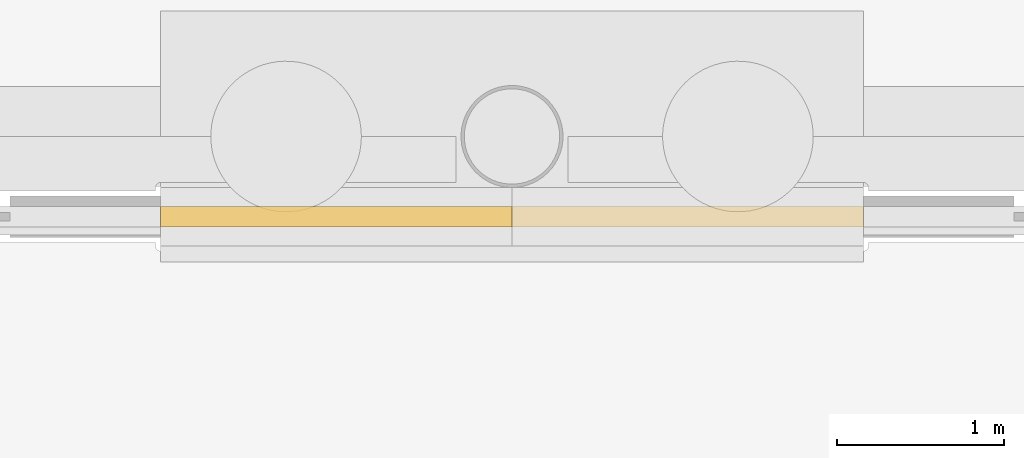
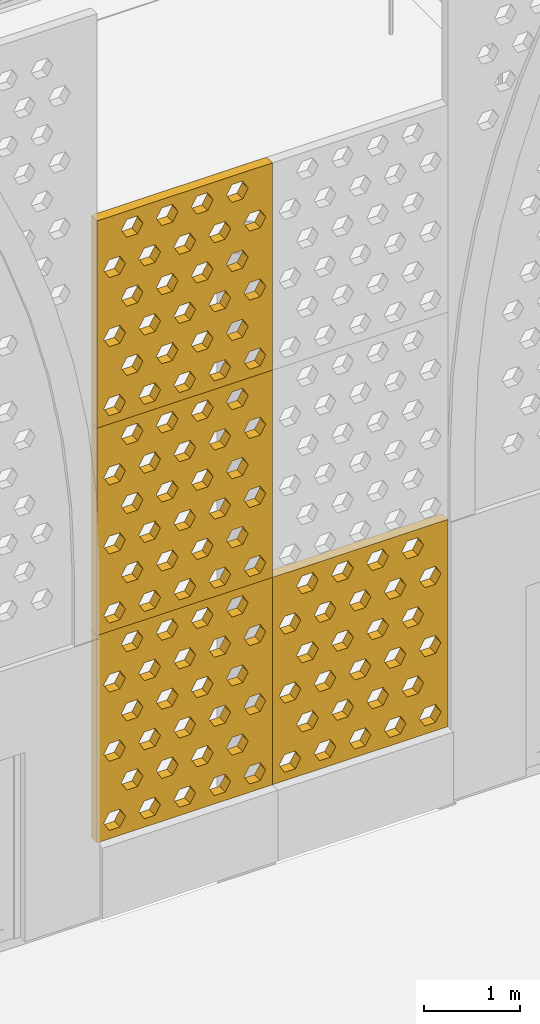
# One storey, part 211 of 250: 4 shading devices.
"""IFC4 building model written with IfcOpenShell, lengths in metres."""

from ifc_helpers import new_model, si_unit, direction, frame, origin, place, context, subcontext, project, spatial, polyline, outline, extrude, material, layer, layer_set, type_object, element, save


model = new_model("IFC4")

# Units and contexts
model_context = context("Model", 3, precision=1e-05, world=origin(), true_north=direction((0.0, 1.0)))
body_context = subcontext(model_context, "Body", "Model", "MODEL_VIEW")
ifc_project = project(units=[si_unit("LENGTHUNIT", "METRE"), si_unit("AREAUNIT", "SQUARE_METRE"), si_unit("VOLUMEUNIT", "CUBIC_METRE"), si_unit("PLANEANGLEUNIT", "RADIAN"), si_unit("MASSUNIT", "GRAM", prefix="KILO")], contexts=[model_context])

# Site, building, storey
site_placement = place(None, origin())
site = spatial("IfcSite", under=ifc_project, at=site_placement, CompositionType="ELEMENT")
building_placement = place(site_placement, origin())
building = spatial("IfcBuilding", under=site, at=building_placement, Name="Baradari Gate Terminus", CompositionType="ELEMENT")
storey_placement = place(building_placement, origin())
storey = spatial("IfcBuildingStorey", under=building, at=storey_placement, Name="L00", CompositionType="ELEMENT", Elevation=0.0)

# Shading devices
ifc_material = material(Name="Concrete C50/60 precast", Category="concrete")
ifc_layer = layer(ifc_material, 0.1201171875)
ifc_layer_set = layer_set([ifc_layer], Name="Concrete C50/60 precast")
shading_device_type = type_object("IfcShadingDeviceType", Name="Jali screen panel JS-2 120", PredefinedType="SHUTTER", material=ifc_layer_set)
shading_device_1_placement = place(storey_placement, frame((231.89990234375, 35.52001953125, 0.89990234375), z_axis=(0.0, 0.0, 1.0), x_axis=(1.0, 0.0, 0.0)))
element("IfcShadingDevice", 1, at=shading_device_1_placement, inside=storey, type_object=shading_device_type, Name="Jali screen panel JS-2 SC08c row 1 panel 1", PredefinedType="SHUTTER", context=body_context, shape_type="SweptSolid", body=[
    extrude(outline(polyline([(0.0, 0.0), (2.10009765625, 0.0), (2.10009765625, 2.625), (0.0, 2.625), (0.0, 0.0)]), holes=[polyline([(0.340087890625, 0.21875), (0.27490234375, 0.106201171875), (0.14501953125, 0.106201171875), (0.080078125, 0.21875), (0.14501953125, 0.33154296875), (0.27490234375, 0.33154296875), (0.340087890625, 0.21875)]), polyline([(0.760009765625, 0.21875), (0.695068359375, 0.106201171875), (0.56494140625, 0.106201171875), (0.5, 0.21875), (0.56494140625, 0.33154296875), (0.695068359375, 0.33154296875), (0.760009765625, 0.21875)]), polyline([(1.179931640625, 0.21875), (1.114990234375, 0.106201171875), (0.985107421875, 0.106201171875), (0.919921875, 0.21875), (0.985107421875, 0.33154296875), (1.114990234375, 0.33154296875), (1.179931640625, 0.21875)]), polyline([(1.60009765625, 0.21875), (1.534912109375, 0.106201171875), (1.405029296875, 0.106201171875), (1.340087890625, 0.21875), (1.405029296875, 0.33154296875), (1.534912109375, 0.33154296875), (1.60009765625, 0.21875)]), polyline([(2.02001953125, 0.21875), (1.955078125, 0.106201171875), (1.824951171875, 0.106201171875), (1.760009765625, 0.21875), (1.824951171875, 0.33154296875), (1.955078125, 0.33154296875), (2.02001953125, 0.21875)]), polyline([(0.550048828125, 0.65625), (0.485107421875, 0.543701171875), (0.35498046875, 0.543701171875), (0.2900390625, 0.65625), (0.35498046875, 0.76904296875), (0.485107421875, 0.76904296875), (0.550048828125, 0.65625)]), polyline([(0.969970703125, 0.65625), (0.905029296875, 0.543701171875), (0.77490234375, 0.543701171875), (0.7099609375, 0.65625), (0.77490234375, 0.76904296875), (0.905029296875, 0.76904296875), (0.969970703125, 0.65625)]), polyline([(1.389892578125, 0.65625), (1.324951171875, 0.543701171875), (1.195068359375, 0.543701171875), (1.1298828125, 0.65625), (1.195068359375, 0.76904296875), (1.324951171875, 0.76904296875), (1.389892578125, 0.65625)]), polyline([(1.81005859375, 0.65625), (1.7451171875, 0.543701171875), (1.614990234375, 0.543701171875), (1.550048828125, 0.65625), (1.614990234375, 0.76904296875), (1.7451171875, 0.76904296875), (1.81005859375, 0.65625)]), polyline([(0.340087890625, 1.09375), (0.27490234375, 0.981201171875), (0.14501953125, 0.981201171875), (0.080078125, 1.09375), (0.14501953125, 1.20654296875), (0.27490234375, 1.20654296875), (0.340087890625, 1.09375)]), polyline([(0.760009765625, 1.09375), (0.695068359375, 0.981201171875), (0.56494140625, 0.981201171875), (0.5, 1.09375), (0.56494140625, 1.20654296875), (0.695068359375, 1.20654296875), (0.760009765625, 1.09375)]), polyline([(1.179931640625, 1.09375), (1.114990234375, 0.981201171875), (0.985107421875, 0.981201171875), (0.919921875, 1.09375), (0.985107421875, 1.20654296875), (1.114990234375, 1.20654296875), (1.179931640625, 1.09375)]), polyline([(1.60009765625, 1.09375), (1.534912109375, 0.981201171875), (1.405029296875, 0.981201171875), (1.340087890625, 1.09375), (1.405029296875, 1.20654296875), (1.534912109375, 1.20654296875), (1.60009765625, 1.09375)]), polyline([(2.02001953125, 1.09375), (1.955078125, 0.981201171875), (1.824951171875, 0.981201171875), (1.760009765625, 1.09375), (1.824951171875, 1.20654296875), (1.955078125, 1.20654296875), (2.02001953125, 1.09375)]), polyline([(0.550048828125, 1.53125), (0.485107421875, 1.418701171875), (0.35498046875, 1.418701171875), (0.2900390625, 1.53125), (0.35498046875, 1.64404296875), (0.485107421875, 1.64404296875), (0.550048828125, 1.53125)]), polyline([(0.969970703125, 1.53125), (0.905029296875, 1.418701171875), (0.77490234375, 1.418701171875), (0.7099609375, 1.53125), (0.77490234375, 1.64404296875), (0.905029296875, 1.64404296875), (0.969970703125, 1.53125)]), polyline([(1.389892578125, 1.53125), (1.324951171875, 1.418701171875), (1.195068359375, 1.418701171875), (1.1298828125, 1.53125), (1.195068359375, 1.64404296875), (1.324951171875, 1.64404296875), (1.389892578125, 1.53125)]), polyline([(1.81005859375, 1.53125), (1.7451171875, 1.418701171875), (1.614990234375, 1.418701171875), (1.550048828125, 1.53125), (1.614990234375, 1.64404296875), (1.7451171875, 1.64404296875), (1.81005859375, 1.53125)]), polyline([(0.340087890625, 1.96875), (0.27490234375, 1.856201171875), (0.14501953125, 1.856201171875), (0.080078125, 1.96875), (0.14501953125, 2.08154296875), (0.27490234375, 2.08154296875), (0.340087890625, 1.96875)]), polyline([(0.760009765625, 1.96875), (0.695068359375, 1.856201171875), (0.56494140625, 1.856201171875), (0.5, 1.96875), (0.56494140625, 2.08154296875), (0.695068359375, 2.08154296875), (0.760009765625, 1.96875)]), polyline([(1.179931640625, 1.96875), (1.114990234375, 1.856201171875), (0.985107421875, 1.856201171875), (0.919921875, 1.96875), (0.985107421875, 2.08154296875), (1.114990234375, 2.08154296875), (1.179931640625, 1.96875)]), polyline([(1.60009765625, 1.96875), (1.534912109375, 1.856201171875), (1.405029296875, 1.856201171875), (1.340087890625, 1.96875), (1.405029296875, 2.08154296875), (1.534912109375, 2.08154296875), (1.60009765625, 1.96875)]), polyline([(2.02001953125, 1.96875), (1.955078125, 1.856201171875), (1.824951171875, 1.856201171875), (1.760009765625, 1.96875), (1.824951171875, 2.08154296875), (1.955078125, 2.08154296875), (2.02001953125, 1.96875)]), polyline([(0.550048828125, 2.40625), (0.485107421875, 2.293701171875), (0.35498046875, 2.293701171875), (0.2900390625, 2.40625), (0.35498046875, 2.51904296875), (0.485107421875, 2.51904296875), (0.550048828125, 2.40625)]), polyline([(0.969970703125, 2.40625), (0.905029296875, 2.293701171875), (0.77490234375, 2.293701171875), (0.7099609375, 2.40625), (0.77490234375, 2.51904296875), (0.905029296875, 2.51904296875), (0.969970703125, 2.40625)]), polyline([(1.389892578125, 2.40625), (1.324951171875, 2.293701171875), (1.195068359375, 2.293701171875), (1.1298828125, 2.40625), (1.195068359375, 2.51904296875), (1.324951171875, 2.51904296875), (1.389892578125, 2.40625)]), polyline([(1.81005859375, 2.40625), (1.7451171875, 2.293701171875), (1.614990234375, 2.293701171875), (1.550048828125, 2.40625), (1.614990234375, 2.51904296875), (1.7451171875, 2.51904296875), (1.81005859375, 2.40625)])]), frame((0.0, 0.06005859375, 0.0), z_axis=(0.0, -1.0, 0.0), x_axis=(1.0, 0.0, 0.0)), (0.0, 0.0, 1.0), 0.1201171875),
])
shading_device_2_placement = place(storey_placement, frame((231.89990234375, 35.52001953125, 3.52490234375), z_axis=(0.0, 0.0, 1.0), x_axis=(1.0, 0.0, 0.0)))
element("IfcShadingDevice", 2, at=shading_device_2_placement, inside=storey, type_object=shading_device_type, Name="Jali screen panel JS-2 SC08c row 2 panel 1", PredefinedType="SHUTTER", context=body_context, shape_type="SweptSolid", body=[
    extrude(outline(polyline([(0.0, 0.0), (2.10009765625, 0.0), (2.10009765625, 2.625), (0.0, 2.625), (0.0, 0.0)]), holes=[polyline([(0.340087890625, 0.21875), (0.27490234375, 0.106201171875), (0.14501953125, 0.106201171875), (0.080078125, 0.21875), (0.14501953125, 0.33154296875), (0.27490234375, 0.33154296875), (0.340087890625, 0.21875)]), polyline([(0.760009765625, 0.21875), (0.695068359375, 0.106201171875), (0.56494140625, 0.106201171875), (0.5, 0.21875), (0.56494140625, 0.33154296875), (0.695068359375, 0.33154296875), (0.760009765625, 0.21875)]), polyline([(1.179931640625, 0.21875), (1.114990234375, 0.106201171875), (0.985107421875, 0.106201171875), (0.919921875, 0.21875), (0.985107421875, 0.33154296875), (1.114990234375, 0.33154296875), (1.179931640625, 0.21875)]), polyline([(1.60009765625, 0.21875), (1.534912109375, 0.106201171875), (1.405029296875, 0.106201171875), (1.340087890625, 0.21875), (1.405029296875, 0.33154296875), (1.534912109375, 0.33154296875), (1.60009765625, 0.21875)]), polyline([(2.02001953125, 0.21875), (1.955078125, 0.106201171875), (1.824951171875, 0.106201171875), (1.760009765625, 0.21875), (1.824951171875, 0.33154296875), (1.955078125, 0.33154296875), (2.02001953125, 0.21875)]), polyline([(0.550048828125, 0.65625), (0.485107421875, 0.543701171875), (0.35498046875, 0.543701171875), (0.2900390625, 0.65625), (0.35498046875, 0.76904296875), (0.485107421875, 0.76904296875), (0.550048828125, 0.65625)]), polyline([(0.969970703125, 0.65625), (0.905029296875, 0.543701171875), (0.77490234375, 0.543701171875), (0.7099609375, 0.65625), (0.77490234375, 0.76904296875), (0.905029296875, 0.76904296875), (0.969970703125, 0.65625)]), polyline([(1.389892578125, 0.65625), (1.324951171875, 0.543701171875), (1.195068359375, 0.543701171875), (1.1298828125, 0.65625), (1.195068359375, 0.76904296875), (1.324951171875, 0.76904296875), (1.389892578125, 0.65625)]), polyline([(1.81005859375, 0.65625), (1.7451171875, 0.543701171875), (1.614990234375, 0.543701171875), (1.550048828125, 0.65625), (1.614990234375, 0.76904296875), (1.7451171875, 0.76904296875), (1.81005859375, 0.65625)]), polyline([(0.340087890625, 1.09375), (0.27490234375, 0.981201171875), (0.14501953125, 0.981201171875), (0.080078125, 1.09375), (0.14501953125, 1.20654296875), (0.27490234375, 1.20654296875), (0.340087890625, 1.09375)]), polyline([(0.760009765625, 1.09375), (0.695068359375, 0.981201171875), (0.56494140625, 0.981201171875), (0.5, 1.09375), (0.56494140625, 1.20654296875), (0.695068359375, 1.20654296875), (0.760009765625, 1.09375)]), polyline([(1.179931640625, 1.09375), (1.114990234375, 0.981201171875), (0.985107421875, 0.981201171875), (0.919921875, 1.09375), (0.985107421875, 1.20654296875), (1.114990234375, 1.20654296875), (1.179931640625, 1.09375)]), polyline([(1.60009765625, 1.09375), (1.534912109375, 0.981201171875), (1.405029296875, 0.981201171875), (1.340087890625, 1.09375), (1.405029296875, 1.20654296875), (1.534912109375, 1.20654296875), (1.60009765625, 1.09375)]), polyline([(2.02001953125, 1.09375), (1.955078125, 0.981201171875), (1.824951171875, 0.981201171875), (1.760009765625, 1.09375), (1.824951171875, 1.20654296875), (1.955078125, 1.20654296875), (2.02001953125, 1.09375)]), polyline([(0.550048828125, 1.53125), (0.485107421875, 1.418701171875), (0.35498046875, 1.418701171875), (0.2900390625, 1.53125), (0.35498046875, 1.64404296875), (0.485107421875, 1.64404296875), (0.550048828125, 1.53125)]), polyline([(0.969970703125, 1.53125), (0.905029296875, 1.418701171875), (0.77490234375, 1.418701171875), (0.7099609375, 1.53125), (0.77490234375, 1.64404296875), (0.905029296875, 1.64404296875), (0.969970703125, 1.53125)]), polyline([(1.389892578125, 1.53125), (1.324951171875, 1.418701171875), (1.195068359375, 1.418701171875), (1.1298828125, 1.53125), (1.195068359375, 1.64404296875), (1.324951171875, 1.64404296875), (1.389892578125, 1.53125)]), polyline([(1.81005859375, 1.53125), (1.7451171875, 1.418701171875), (1.614990234375, 1.418701171875), (1.550048828125, 1.53125), (1.614990234375, 1.64404296875), (1.7451171875, 1.64404296875), (1.81005859375, 1.53125)]), polyline([(0.340087890625, 1.96875), (0.27490234375, 1.856201171875), (0.14501953125, 1.856201171875), (0.080078125, 1.96875), (0.14501953125, 2.08154296875), (0.27490234375, 2.08154296875), (0.340087890625, 1.96875)]), polyline([(0.760009765625, 1.96875), (0.695068359375, 1.856201171875), (0.56494140625, 1.856201171875), (0.5, 1.96875), (0.56494140625, 2.08154296875), (0.695068359375, 2.08154296875), (0.760009765625, 1.96875)]), polyline([(1.179931640625, 1.96875), (1.114990234375, 1.856201171875), (0.985107421875, 1.856201171875), (0.919921875, 1.96875), (0.985107421875, 2.08154296875), (1.114990234375, 2.08154296875), (1.179931640625, 1.96875)]), polyline([(1.60009765625, 1.96875), (1.534912109375, 1.856201171875), (1.405029296875, 1.856201171875), (1.340087890625, 1.96875), (1.405029296875, 2.08154296875), (1.534912109375, 2.08154296875), (1.60009765625, 1.96875)]), polyline([(2.02001953125, 1.96875), (1.955078125, 1.856201171875), (1.824951171875, 1.856201171875), (1.760009765625, 1.96875), (1.824951171875, 2.08154296875), (1.955078125, 2.08154296875), (2.02001953125, 1.96875)]), polyline([(0.550048828125, 2.40625), (0.485107421875, 2.293701171875), (0.35498046875, 2.293701171875), (0.2900390625, 2.40625), (0.35498046875, 2.51904296875), (0.485107421875, 2.51904296875), (0.550048828125, 2.40625)]), polyline([(0.969970703125, 2.40625), (0.905029296875, 2.293701171875), (0.77490234375, 2.293701171875), (0.7099609375, 2.40625), (0.77490234375, 2.51904296875), (0.905029296875, 2.51904296875), (0.969970703125, 2.40625)]), polyline([(1.389892578125, 2.40625), (1.324951171875, 2.293701171875), (1.195068359375, 2.293701171875), (1.1298828125, 2.40625), (1.195068359375, 2.51904296875), (1.324951171875, 2.51904296875), (1.389892578125, 2.40625)]), polyline([(1.81005859375, 2.40625), (1.7451171875, 2.293701171875), (1.614990234375, 2.293701171875), (1.550048828125, 2.40625), (1.614990234375, 2.51904296875), (1.7451171875, 2.51904296875), (1.81005859375, 2.40625)])]), frame((0.0, 0.06005859375, 0.0), z_axis=(0.0, -1.0, 0.0), x_axis=(1.0, 0.0, 0.0)), (0.0, 0.0, 1.0), 0.1201171875),
])
shading_device_3_placement = place(storey_placement, frame((231.89990234375, 35.52001953125, 6.14990234375), z_axis=(0.0, 0.0, 1.0), x_axis=(1.0, 0.0, 0.0)))
element("IfcShadingDevice", 3, at=shading_device_3_placement, inside=storey, type_object=shading_device_type, Name="Jali screen panel JS-2 SC08c row 3 panel 1", PredefinedType="SHUTTER", context=body_context, shape_type="SweptSolid", body=[
    extrude(outline(polyline([(0.0, 0.0), (2.10009765625, 0.0), (2.10009765625, 2.625), (0.0, 2.625), (0.0, 0.0)]), holes=[polyline([(0.340087890625, 0.21875), (0.27490234375, 0.106201171875), (0.14501953125, 0.106201171875), (0.080078125, 0.21875), (0.14501953125, 0.33154296875), (0.27490234375, 0.33154296875), (0.340087890625, 0.21875)]), polyline([(0.760009765625, 0.21875), (0.695068359375, 0.106201171875), (0.56494140625, 0.106201171875), (0.5, 0.21875), (0.56494140625, 0.33154296875), (0.695068359375, 0.33154296875), (0.760009765625, 0.21875)]), polyline([(1.179931640625, 0.21875), (1.114990234375, 0.106201171875), (0.985107421875, 0.106201171875), (0.919921875, 0.21875), (0.985107421875, 0.33154296875), (1.114990234375, 0.33154296875), (1.179931640625, 0.21875)]), polyline([(1.60009765625, 0.21875), (1.534912109375, 0.106201171875), (1.405029296875, 0.106201171875), (1.340087890625, 0.21875), (1.405029296875, 0.33154296875), (1.534912109375, 0.33154296875), (1.60009765625, 0.21875)]), polyline([(2.02001953125, 0.21875), (1.955078125, 0.106201171875), (1.824951171875, 0.106201171875), (1.760009765625, 0.21875), (1.824951171875, 0.33154296875), (1.955078125, 0.33154296875), (2.02001953125, 0.21875)]), polyline([(0.550048828125, 0.65625), (0.485107421875, 0.543701171875), (0.35498046875, 0.543701171875), (0.2900390625, 0.65625), (0.35498046875, 0.76904296875), (0.485107421875, 0.76904296875), (0.550048828125, 0.65625)]), polyline([(0.969970703125, 0.65625), (0.905029296875, 0.543701171875), (0.77490234375, 0.543701171875), (0.7099609375, 0.65625), (0.77490234375, 0.76904296875), (0.905029296875, 0.76904296875), (0.969970703125, 0.65625)]), polyline([(1.389892578125, 0.65625), (1.324951171875, 0.543701171875), (1.195068359375, 0.543701171875), (1.1298828125, 0.65625), (1.195068359375, 0.76904296875), (1.324951171875, 0.76904296875), (1.389892578125, 0.65625)]), polyline([(1.81005859375, 0.65625), (1.7451171875, 0.543701171875), (1.614990234375, 0.543701171875), (1.550048828125, 0.65625), (1.614990234375, 0.76904296875), (1.7451171875, 0.76904296875), (1.81005859375, 0.65625)]), polyline([(0.340087890625, 1.09375), (0.27490234375, 0.981201171875), (0.14501953125, 0.981201171875), (0.080078125, 1.09375), (0.14501953125, 1.20654296875), (0.27490234375, 1.20654296875), (0.340087890625, 1.09375)]), polyline([(0.760009765625, 1.09375), (0.695068359375, 0.981201171875), (0.56494140625, 0.981201171875), (0.5, 1.09375), (0.56494140625, 1.20654296875), (0.695068359375, 1.20654296875), (0.760009765625, 1.09375)]), polyline([(1.179931640625, 1.09375), (1.114990234375, 0.981201171875), (0.985107421875, 0.981201171875), (0.919921875, 1.09375), (0.985107421875, 1.20654296875), (1.114990234375, 1.20654296875), (1.179931640625, 1.09375)]), polyline([(1.60009765625, 1.09375), (1.534912109375, 0.981201171875), (1.405029296875, 0.981201171875), (1.340087890625, 1.09375), (1.405029296875, 1.20654296875), (1.534912109375, 1.20654296875), (1.60009765625, 1.09375)]), polyline([(2.02001953125, 1.09375), (1.955078125, 0.981201171875), (1.824951171875, 0.981201171875), (1.760009765625, 1.09375), (1.824951171875, 1.20654296875), (1.955078125, 1.20654296875), (2.02001953125, 1.09375)]), polyline([(0.550048828125, 1.53125), (0.485107421875, 1.418701171875), (0.35498046875, 1.418701171875), (0.2900390625, 1.53125), (0.35498046875, 1.64404296875), (0.485107421875, 1.64404296875), (0.550048828125, 1.53125)]), polyline([(0.969970703125, 1.53125), (0.905029296875, 1.418701171875), (0.77490234375, 1.418701171875), (0.7099609375, 1.53125), (0.77490234375, 1.64404296875), (0.905029296875, 1.64404296875), (0.969970703125, 1.53125)]), polyline([(1.389892578125, 1.53125), (1.324951171875, 1.418701171875), (1.195068359375, 1.418701171875), (1.1298828125, 1.53125), (1.195068359375, 1.64404296875), (1.324951171875, 1.64404296875), (1.389892578125, 1.53125)]), polyline([(1.81005859375, 1.53125), (1.7451171875, 1.418701171875), (1.614990234375, 1.418701171875), (1.550048828125, 1.53125), (1.614990234375, 1.64404296875), (1.7451171875, 1.64404296875), (1.81005859375, 1.53125)]), polyline([(0.340087890625, 1.96875), (0.27490234375, 1.856201171875), (0.14501953125, 1.856201171875), (0.080078125, 1.96875), (0.14501953125, 2.08154296875), (0.27490234375, 2.08154296875), (0.340087890625, 1.96875)]), polyline([(0.760009765625, 1.96875), (0.695068359375, 1.856201171875), (0.56494140625, 1.856201171875), (0.5, 1.96875), (0.56494140625, 2.08154296875), (0.695068359375, 2.08154296875), (0.760009765625, 1.96875)]), polyline([(1.179931640625, 1.96875), (1.114990234375, 1.856201171875), (0.985107421875, 1.856201171875), (0.919921875, 1.96875), (0.985107421875, 2.08154296875), (1.114990234375, 2.08154296875), (1.179931640625, 1.96875)]), polyline([(1.60009765625, 1.96875), (1.534912109375, 1.856201171875), (1.405029296875, 1.856201171875), (1.340087890625, 1.96875), (1.405029296875, 2.08154296875), (1.534912109375, 2.08154296875), (1.60009765625, 1.96875)]), polyline([(2.02001953125, 1.96875), (1.955078125, 1.856201171875), (1.824951171875, 1.856201171875), (1.760009765625, 1.96875), (1.824951171875, 2.08154296875), (1.955078125, 2.08154296875), (2.02001953125, 1.96875)]), polyline([(0.550048828125, 2.40625), (0.485107421875, 2.293701171875), (0.35498046875, 2.293701171875), (0.2900390625, 2.40625), (0.35498046875, 2.51904296875), (0.485107421875, 2.51904296875), (0.550048828125, 2.40625)]), polyline([(0.969970703125, 2.40625), (0.905029296875, 2.293701171875), (0.77490234375, 2.293701171875), (0.7099609375, 2.40625), (0.77490234375, 2.51904296875), (0.905029296875, 2.51904296875), (0.969970703125, 2.40625)]), polyline([(1.389892578125, 2.40625), (1.324951171875, 2.293701171875), (1.195068359375, 2.293701171875), (1.1298828125, 2.40625), (1.195068359375, 2.51904296875), (1.324951171875, 2.51904296875), (1.389892578125, 2.40625)]), polyline([(1.81005859375, 2.40625), (1.7451171875, 2.293701171875), (1.614990234375, 2.293701171875), (1.550048828125, 2.40625), (1.614990234375, 2.51904296875), (1.7451171875, 2.51904296875), (1.81005859375, 2.40625)])]), frame((0.0, 0.06005859375, 0.0), z_axis=(0.0, -1.0, 0.0), x_axis=(1.0, 0.0, 0.0)), (0.0, 0.0, 1.0), 0.1201171875),
])
shading_device_4_placement = place(storey_placement, frame((234.0, 35.52001953125, 0.89990234375), z_axis=(0.0, 0.0, 1.0), x_axis=(1.0, 0.0, 0.0)))
element("IfcShadingDevice", 4, at=shading_device_4_placement, inside=storey, type_object=shading_device_type, Name="Jali screen panel JS-2 SC09a row 1 panel 1", PredefinedType="SHUTTER", context=body_context, shape_type="SweptSolid", body=[
    extrude(outline(polyline([(0.0, 0.0), (2.10009765625, 0.0), (2.10009765625, 2.625), (0.0, 2.625), (0.0, 0.0)]), holes=[polyline([(0.340087890625, 0.21875), (0.27490234375, 0.106201171875), (0.14501953125, 0.106201171875), (0.080078125, 0.21875), (0.14501953125, 0.33154296875), (0.27490234375, 0.33154296875), (0.340087890625, 0.21875)]), polyline([(0.760009765625, 0.21875), (0.695068359375, 0.106201171875), (0.56494140625, 0.106201171875), (0.5, 0.21875), (0.56494140625, 0.33154296875), (0.695068359375, 0.33154296875), (0.760009765625, 0.21875)]), polyline([(1.179931640625, 0.21875), (1.114990234375, 0.106201171875), (0.985107421875, 0.106201171875), (0.919921875, 0.21875), (0.985107421875, 0.33154296875), (1.114990234375, 0.33154296875), (1.179931640625, 0.21875)]), polyline([(1.60009765625, 0.21875), (1.534912109375, 0.106201171875), (1.405029296875, 0.106201171875), (1.340087890625, 0.21875), (1.405029296875, 0.33154296875), (1.534912109375, 0.33154296875), (1.60009765625, 0.21875)]), polyline([(2.02001953125, 0.21875), (1.955078125, 0.106201171875), (1.824951171875, 0.106201171875), (1.760009765625, 0.21875), (1.824951171875, 0.33154296875), (1.955078125, 0.33154296875), (2.02001953125, 0.21875)]), polyline([(0.550048828125, 0.65625), (0.485107421875, 0.543701171875), (0.35498046875, 0.543701171875), (0.2900390625, 0.65625), (0.35498046875, 0.76904296875), (0.485107421875, 0.76904296875), (0.550048828125, 0.65625)]), polyline([(0.969970703125, 0.65625), (0.905029296875, 0.543701171875), (0.77490234375, 0.543701171875), (0.7099609375, 0.65625), (0.77490234375, 0.76904296875), (0.905029296875, 0.76904296875), (0.969970703125, 0.65625)]), polyline([(1.389892578125, 0.65625), (1.324951171875, 0.543701171875), (1.195068359375, 0.543701171875), (1.1298828125, 0.65625), (1.195068359375, 0.76904296875), (1.324951171875, 0.76904296875), (1.389892578125, 0.65625)]), polyline([(1.81005859375, 0.65625), (1.7451171875, 0.543701171875), (1.614990234375, 0.543701171875), (1.550048828125, 0.65625), (1.614990234375, 0.76904296875), (1.7451171875, 0.76904296875), (1.81005859375, 0.65625)]), polyline([(0.340087890625, 1.09375), (0.27490234375, 0.981201171875), (0.14501953125, 0.981201171875), (0.080078125, 1.09375), (0.14501953125, 1.20654296875), (0.27490234375, 1.20654296875), (0.340087890625, 1.09375)]), polyline([(0.760009765625, 1.09375), (0.695068359375, 0.981201171875), (0.56494140625, 0.981201171875), (0.5, 1.09375), (0.56494140625, 1.20654296875), (0.695068359375, 1.20654296875), (0.760009765625, 1.09375)]), polyline([(1.179931640625, 1.09375), (1.114990234375, 0.981201171875), (0.985107421875, 0.981201171875), (0.919921875, 1.09375), (0.985107421875, 1.20654296875), (1.114990234375, 1.20654296875), (1.179931640625, 1.09375)]), polyline([(1.60009765625, 1.09375), (1.534912109375, 0.981201171875), (1.405029296875, 0.981201171875), (1.340087890625, 1.09375), (1.405029296875, 1.20654296875), (1.534912109375, 1.20654296875), (1.60009765625, 1.09375)]), polyline([(2.02001953125, 1.09375), (1.955078125, 0.981201171875), (1.824951171875, 0.981201171875), (1.760009765625, 1.09375), (1.824951171875, 1.20654296875), (1.955078125, 1.20654296875), (2.02001953125, 1.09375)]), polyline([(0.550048828125, 1.53125), (0.485107421875, 1.418701171875), (0.35498046875, 1.418701171875), (0.2900390625, 1.53125), (0.35498046875, 1.64404296875), (0.485107421875, 1.64404296875), (0.550048828125, 1.53125)]), polyline([(0.969970703125, 1.53125), (0.905029296875, 1.418701171875), (0.77490234375, 1.418701171875), (0.7099609375, 1.53125), (0.77490234375, 1.64404296875), (0.905029296875, 1.64404296875), (0.969970703125, 1.53125)]), polyline([(1.389892578125, 1.53125), (1.324951171875, 1.418701171875), (1.195068359375, 1.418701171875), (1.1298828125, 1.53125), (1.195068359375, 1.64404296875), (1.324951171875, 1.64404296875), (1.389892578125, 1.53125)]), polyline([(1.81005859375, 1.53125), (1.7451171875, 1.418701171875), (1.614990234375, 1.418701171875), (1.550048828125, 1.53125), (1.614990234375, 1.64404296875), (1.7451171875, 1.64404296875), (1.81005859375, 1.53125)]), polyline([(0.340087890625, 1.96875), (0.27490234375, 1.856201171875), (0.14501953125, 1.856201171875), (0.080078125, 1.96875), (0.14501953125, 2.08154296875), (0.27490234375, 2.08154296875), (0.340087890625, 1.96875)]), polyline([(0.760009765625, 1.96875), (0.695068359375, 1.856201171875), (0.56494140625, 1.856201171875), (0.5, 1.96875), (0.56494140625, 2.08154296875), (0.695068359375, 2.08154296875), (0.760009765625, 1.96875)]), polyline([(1.179931640625, 1.96875), (1.114990234375, 1.856201171875), (0.985107421875, 1.856201171875), (0.919921875, 1.96875), (0.985107421875, 2.08154296875), (1.114990234375, 2.08154296875), (1.179931640625, 1.96875)]), polyline([(1.60009765625, 1.96875), (1.534912109375, 1.856201171875), (1.405029296875, 1.856201171875), (1.340087890625, 1.96875), (1.405029296875, 2.08154296875), (1.534912109375, 2.08154296875), (1.60009765625, 1.96875)]), polyline([(2.02001953125, 1.96875), (1.955078125, 1.856201171875), (1.824951171875, 1.856201171875), (1.760009765625, 1.96875), (1.824951171875, 2.08154296875), (1.955078125, 2.08154296875), (2.02001953125, 1.96875)]), polyline([(0.550048828125, 2.40625), (0.485107421875, 2.293701171875), (0.35498046875, 2.293701171875), (0.2900390625, 2.40625), (0.35498046875, 2.51904296875), (0.485107421875, 2.51904296875), (0.550048828125, 2.40625)]), polyline([(0.969970703125, 2.40625), (0.905029296875, 2.293701171875), (0.77490234375, 2.293701171875), (0.7099609375, 2.40625), (0.77490234375, 2.51904296875), (0.905029296875, 2.51904296875), (0.969970703125, 2.40625)]), polyline([(1.389892578125, 2.40625), (1.324951171875, 2.293701171875), (1.195068359375, 2.293701171875), (1.1298828125, 2.40625), (1.195068359375, 2.51904296875), (1.324951171875, 2.51904296875), (1.389892578125, 2.40625)]), polyline([(1.81005859375, 2.40625), (1.7451171875, 2.293701171875), (1.614990234375, 2.293701171875), (1.550048828125, 2.40625), (1.614990234375, 2.51904296875), (1.7451171875, 2.51904296875), (1.81005859375, 2.40625)])]), frame((0.0, 0.06005859375, 0.0), z_axis=(0.0, -1.0, 0.0), x_axis=(1.0, 0.0, 0.0)), (0.0, 0.0, 1.0), 0.1201171875),
])

save(model, "model.ifc")
